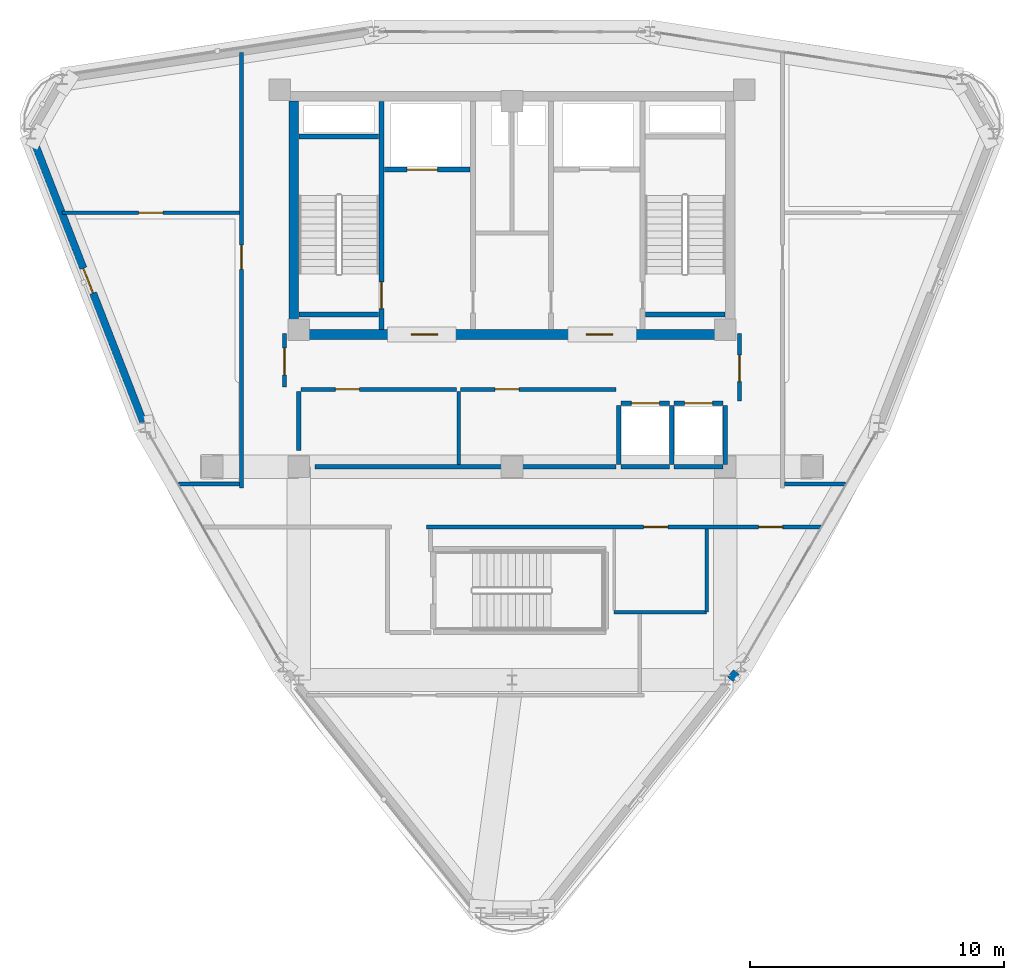
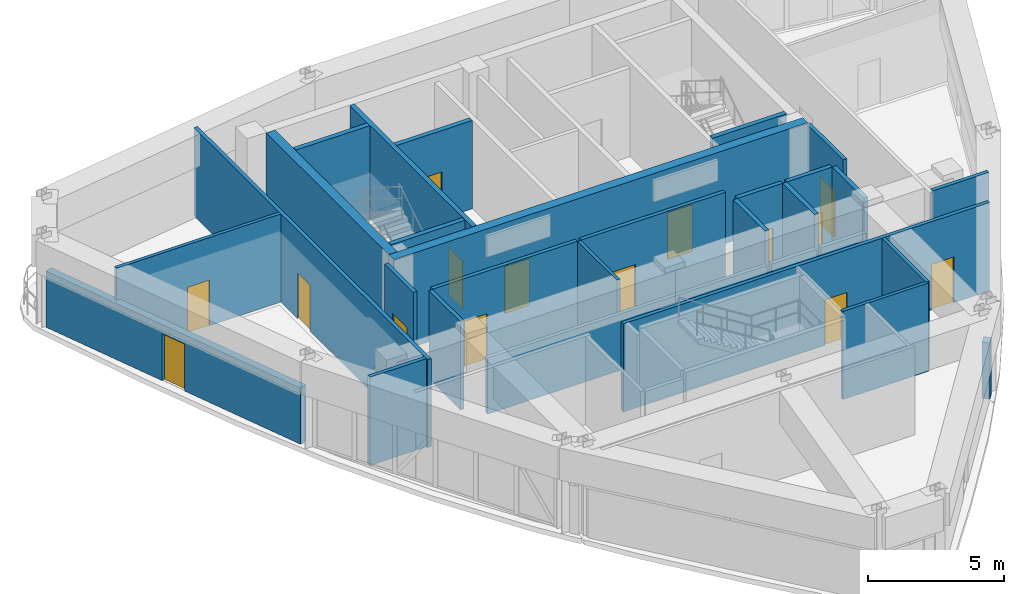
# One storey, part 13 of 16: 30 walls, 15 doors, 15 openings.
"""IFC4 building model written with IfcOpenShell, lengths in metres."""

from ifc_helpers import new_model, si_unit, derived_unit, direction, frame, frame_2d, origin, place, context, subcontext, project, spatial, rectangle, extrude, material, layer, layer_set, type_object, element, fill, save


model = new_model("IFC4")

# Units and contexts
model_context = context("Model", 3, precision=1e-05, world=origin(), true_north=direction((0.0, 1.0)))
body_context = subcontext(model_context, "Body", "Model", "MODEL_VIEW")
ifc_project = project(units=[si_unit("LENGTHUNIT", "METRE"), si_unit("AREAUNIT", "SQUARE_METRE"), si_unit("VOLUMEUNIT", "CUBIC_METRE"), si_unit("PLANEANGLEUNIT", "RADIAN"), si_unit("MASSUNIT", "GRAM", prefix="KILO"), derived_unit("THERMALTRANSMITTANCEUNIT", [(si_unit("POWERUNIT", "WATT"), 1), (si_unit("LENGTHUNIT", "METRE"), -2), (si_unit("THERMODYNAMICTEMPERATUREUNIT", "KELVIN"), -1)])], contexts=[model_context])

# Site, building, storey
site_placement = place(None, origin())
site = spatial("IfcSite", under=ifc_project, at=site_placement, CompositionType="ELEMENT")
building_placement = place(site_placement, origin())
building = spatial("IfcBuilding", under=site, at=building_placement, Name="Korsvarv Bourse and Concert Hall", CompositionType="ELEMENT")
storey_placement = place(building_placement, frame((0.0, 0.0, 283.800048828125)))
storey = spatial("IfcBuildingStorey", under=building, at=storey_placement, Name="L74", CompositionType="ELEMENT", Elevation=283.800048828125)

# Wall, openings, doors
ifc_material_1 = material(Name="Concrete C50/60", Category="concrete")
ifc_layer_1 = layer(ifc_material_1, 0.3798828125)
ifc_layer_set_1 = layer_set([ifc_layer_1], Name="Concrete C50/60")
wall_type_1 = type_object("IfcWallType", Name="WL-CORE-380", PredefinedType="SHEAR", material=ifc_layer_set_1)
wall_1_placement = place(storey_placement, frame((27.219970703125, 37.610107421875, 0.0), z_axis=(0.0, 0.0, 1.0), x_axis=(1.0, 0.0, 0.0)))
wall_1 = element("IfcWall", 1, at=wall_1_placement, inside=storey, type_object=wall_type_1, Name="L74 South Core Shear Wall", PredefinedType="SHEAR", context=body_context, shape_type="SweptSolid", body=[
    extrude(rectangle(XDim=17.56005859375, YDim=0.3798828125, at=frame_2d((8.780029296875, 0.0))), origin(), (0.0, 0.0, 1.0), 4.199951171875),
])
opening_1_placement = place(wall_1_placement, frame((4.804931640625, 0.0, 0.0)))
opening_1 = element("IfcOpeningElement", 2, at=opening_1_placement, cuts=wall_1, Name="Opening D-01", PredefinedType="OPENING", context=body_context, shape_type="SweptSolid", body=[
    extrude(rectangle(XDim=1.050048828125, YDim=2.10009765625, at=frame_2d((0.52490234375, 1.050048828125))), frame((0.0, 0.199951171875, 0.0), z_axis=(0.0, -1.0, 0.0), x_axis=(1.0, 0.0, 0.0)), (0.0, 0.0, 1.0), 0.39990234375),
])
opening_2_placement = place(wall_1_placement, frame((11.705078125, 0.0, 0.0)))
opening_2 = element("IfcOpeningElement", 3, at=opening_2_placement, cuts=wall_1, Name="Opening D-01", PredefinedType="OPENING", context=body_context, shape_type="SweptSolid", body=[
    extrude(rectangle(XDim=1.050048828125, YDim=2.10009765625, at=frame_2d((0.52490234375, 1.050048828125))), frame((0.0, 0.199951171875, 0.0), z_axis=(0.0, -1.0, 0.0), x_axis=(1.0, 0.0, 0.0)), (0.0, 0.0, 1.0), 0.39990234375),
])
ifc_material_2 = material(Name="Steel S355 fire door", Category="steel")
door_type_1 = type_object("IfcDoorType", Name="DR-FD60", OperationType="NOTDEFINED", PredefinedType="DOOR", material=ifc_material_2)
door_1_placement = place(opening_1_placement, frame((1.050048828125, 0.0, 0.0), z_axis=(0.0, 0.0, 1.0), x_axis=(-1.0, 0.0, 0.0)))
door_1 = element("IfcDoor", 4, at=door_1_placement, inside=storey, type_object=door_type_1, Name="L74 firefighting lobby fire door DR-L74-FFLW", OperationType="SINGLE_SWING_LEFT", OverallHeight=2.10009765625, OverallWidth=1.050048828125, PredefinedType="DOOR", context=body_context, shape_type="SweptSolid", body=[
    extrude(rectangle(XDim=1.050048828125, YDim=2.10009765625, at=frame_2d((0.52490234375, 1.050048828125))), frame((0.0, 0.02490234375, 0.0), z_axis=(0.0, -1.0, 0.0), x_axis=(1.0, 0.0, 0.0)), (0.0, 0.0, 1.0), 0.050048828125),
])
fill(opening_1, door_1)
door_2_placement = place(opening_2_placement, frame((1.050048828125, 0.0, 0.0), z_axis=(0.0, 0.0, 1.0), x_axis=(-1.0, 0.0, 0.0)))
door_2 = element("IfcDoor", 5, at=door_2_placement, inside=storey, type_object=door_type_1, Name="L74 firefighting lobby fire door DR-L74-FFLE", OperationType="SINGLE_SWING_RIGHT", OverallHeight=2.10009765625, OverallWidth=1.050048828125, PredefinedType="DOOR", context=body_context, shape_type="SweptSolid", body=[
    extrude(rectangle(XDim=1.050048828125, YDim=2.10009765625, at=frame_2d((0.52490234375, 1.050048828125))), frame((0.0, 0.02490234375, 0.0), z_axis=(0.0, -1.0, 0.0), x_axis=(1.0, 0.0, 0.0)), (0.0, 0.0, 1.0), 0.050048828125),
])
fill(opening_2, door_2)

# Wall
wall_2_placement = place(storey_placement, frame((27.409912109375, 37.800048828125, 0.0), z_axis=(0.0, 0.0, 1.0), x_axis=(0.0, 1.0, 0.0)))
element("IfcWall", 6, at=wall_2_placement, inside=storey, type_object=wall_type_1, Name="L74 West Core Shear Wall", PredefinedType="SHEAR", context=body_context, shape_type="SweptSolid", body=[
    extrude(rectangle(XDim=9.0, YDim=0.3798828125, at=frame_2d((4.5, 0.0))), origin(), (0.0, 0.0, 1.0), 4.199951171875),
])

# Wall, opening, door
wall_3_placement = place(storey_placement, frame((30.860107421875, 37.81005859375, 0.0), z_axis=(0.0, 0.0, 1.0), x_axis=(0.0, 1.0, 0.0)))
wall_3 = element("IfcWall", 7, at=wall_3_placement, inside=storey, type_object=wall_type_1, Name="L74 stair shaft structural wall W-L74-ST1-E", PredefinedType="SHEAR", context=body_context, shape_type="SweptSolid", body=[
    extrude(rectangle(XDim=8.97998046875, YDim=0.199951171875, at=frame_2d((4.489990234375, 0.0))), origin(), (0.0, 0.0, 1.0), 4.199951171875),
])
opening_3_placement = place(wall_3_placement, frame((0.820068359375, 0.0, 0.0)))
opening_3 = element("IfcOpeningElement", 8, at=opening_3_placement, cuts=wall_3, Name="Opening D-01", PredefinedType="OPENING", context=body_context, shape_type="SweptSolid", body=[
    extrude(rectangle(XDim=1.050048828125, YDim=2.10009765625, at=frame_2d((0.52490234375, 1.050048828125))), frame((0.0, 0.10986328125, 0.0), z_axis=(0.0, -1.0, 0.0), x_axis=(1.0, 0.0, 0.0)), (0.0, 0.0, 1.0), 0.219970703125),
])
door_3_placement = place(opening_3_placement, origin())
door_3 = element("IfcDoor", 9, at=door_3_placement, inside=storey, type_object=door_type_1, Name="L74 interior door DR-L74-ST1", OperationType="SINGLE_SWING_LEFT", OverallHeight=2.10009765625, OverallWidth=1.050048828125, PredefinedType="DOOR", context=body_context, shape_type="SweptSolid", body=[
    extrude(rectangle(XDim=1.050048828125, YDim=2.10009765625, at=frame_2d((0.52490234375, 1.050048828125))), frame((0.0, 0.02490234375, 0.0), z_axis=(0.0, -1.0, 0.0), x_axis=(1.0, 0.0, 0.0)), (0.0, 0.0, 1.0), 0.050048828125),
])
fill(opening_3, door_3)

# Walls
for number, where, z_axis, x_axis, name in (
    (10, (27.610107421875, 45.39990234375, 0.0), (0.0, 0.0, 1.0), (1.0, 0.0, 0.0), "L74 stair shaft structural wall W-L74-ST1-N"),
    (11, (27.610107421875, 38.39990234375, 0.0), (0.0, 0.0, 1.0), (1.0, 0.0, 0.0), "L74 stair shaft structural wall W-L74-ST1-S"),
    (12, (41.25, 38.39990234375, 0.0), (0.0, 0.0, 1.0), (1.0, 0.0, 0.0), "L74 stair shaft structural wall W-L74-ST2-S"),
):
    element("IfcWall", number, at=place(storey_placement, frame(where, z_axis=z_axis, x_axis=x_axis)), inside=storey, type_object=wall_type_1, Name=name, PredefinedType="SHEAR", context=body_context, shape_type="SweptSolid", body=[
        extrude(rectangle(XDim=3.139892578125, YDim=0.199951171875, at=frame_2d((1.56982421875, 0.0))), origin(), (0.0, 0.0, 1.0), 4.199951171875),
    ])

# Wall, opening, door
ifc_material_3 = material(Name="Precast concrete C45/55 with terracotta rainscreen", Category="concrete")
ifc_layer_2 = layer(ifc_material_3, 0.300048828125)
ifc_layer_set_2 = layer_set([ifc_layer_2], Name="Precast concrete C45/55 with terracotta rainscreen")
wall_type_2 = type_object("IfcWallType", Name="WL-EXT-TC1", PredefinedType="SOLIDWALL", material=ifc_layer_set_2)
wall_4_placement = place(storey_placement, frame((17.130859375, 45.3095703125, 0.0), z_axis=(0.0, 0.0, 1.0), x_axis=(0.362913406034, -0.931822869284, 0.0)))
wall_4 = element("IfcWall", 13, at=wall_4_placement, inside=storey, type_object=wall_type_2, Name="L74 terracotta exterior wall EW-L74-B06", PredefinedType="SOLIDWALL", context=body_context, shape_type="SweptSolid", body=[
    extrude(rectangle(XDim=11.978515625, YDim=0.300048828125, at=frame_2d((5.9892578125, 0.0))), origin(), (0.0, 0.0, 1.0), 2.52001953125),
])
opening_4_placement = place(wall_4_placement, frame((5.46435546875, 0.0, 0.0)))
opening_4 = element("IfcOpeningElement", 14, at=opening_4_placement, cuts=wall_4, Name="Opening ED-02", PredefinedType="OPENING", context=body_context, shape_type="SweptSolid", body=[
    extrude(rectangle(XDim=1.050048828125, YDim=2.10009765625, at=frame_2d((0.52490234375, 1.050048828125))), frame((0.0, 0.16015625, 0.0), z_axis=(0.0, -1.0, 0.0), x_axis=(1.0, 0.0, 0.0)), (0.0, 0.0, 1.0), 0.320068359375),
])
ifc_material_4 = material(Name="Thermally broken anodised aluminium and laminated safety glass", Category="aluminium")
door_type_2 = type_object("IfcDoorType", Name="DR-EXT-TERR", OperationType="NOTDEFINED", PredefinedType="DOOR", material=ifc_material_4)
door_4_placement = place(opening_4_placement, frame((1.050048828125, 0.0, 0.0), z_axis=(0.0, 0.0, 1.0), x_axis=(-1.0, 0.0, 0.0)))
door_4 = element("IfcDoor", 15, at=door_4_placement, inside=storey, type_object=door_type_2, Name="L74 Sky Garden Terrace Access Door", OperationType="SINGLE_SWING_RIGHT", OverallHeight=2.10009765625, OverallWidth=1.050048828125, PredefinedType="DOOR", context=body_context, shape_type="SweptSolid", body=[
    extrude(rectangle(XDim=1.050048828125, YDim=2.10009765625, at=frame_2d((0.52490234375, 1.050048828125))), frame((0.0, 0.02490234375, 0.0), z_axis=(0.0, -1.0, 0.0), x_axis=(1.0, 0.0, 0.0)), (0.0, 0.0, 1.0), 0.050048828125),
])
fill(opening_4, door_4)

# Wall
wall_5_placement = place(storey_placement, frame((44.60546875, 24.02587890625, 0.0), z_axis=(0.0, 0.0, 1.0), x_axis=(0.625494298598, 0.780228737244, 0.0)))
element("IfcWall", 16, at=wall_5_placement, inside=storey, type_object=wall_type_2, Name="L74 terracotta exterior wall EW-L74-B10-2", PredefinedType="SOLIDWALL", context=body_context, shape_type="SweptSolid", body=[
    extrude(rectangle(XDim=0.372314453125, YDim=0.300048828125, at=frame_2d((0.18603515625, 0.0))), origin(), (0.0, 0.0, 1.0), 2.52001953125),
])

# Wall, opening, door
ifc_material_5 = material(Name="Reinforced concrete blockwork C35/45 fire wall", Category="concrete")
ifc_layer_3 = layer(ifc_material_5, 0.199951171875)
ifc_layer_set_3 = layer_set([ifc_layer_3], Name="Reinforced concrete blockwork C35/45 fire wall")
wall_type_3 = type_object("IfcWallType", Name="WL-INT-EI120", PredefinedType="PARTITIONING", material=ifc_layer_set_3)
wall_6_placement = place(storey_placement, frame((30.969970703125, 44.10009765625, 0.0), z_axis=(0.0, 0.0, 1.0), x_axis=(1.0, 0.0, 0.0)))
wall_6 = element("IfcWall", 17, at=wall_6_placement, inside=storey, type_object=wall_type_3, Name="L74 interior partition wall W-L74-FF1-S", PredefinedType="PARTITIONING", context=body_context, shape_type="SweptSolid", body=[
    extrude(rectangle(XDim=3.380126953125, YDim=0.199951171875, at=frame_2d((1.68994140625, 0.0))), origin(), (0.0, 0.0, 1.0), 3.9599609375),
])
opening_5_placement = place(wall_6_placement, frame((0.89990234375, 0.0, 0.0)))
opening_5 = element("IfcOpeningElement", 18, at=opening_5_placement, cuts=wall_6, Name="Opening LD-1", PredefinedType="OPENING", context=body_context, shape_type="SweptSolid", body=[
    extrude(rectangle(XDim=1.199951171875, YDim=2.10009765625, at=frame_2d((0.60009765625, 1.050048828125))), frame((0.0, 0.10986328125, 0.0), z_axis=(0.0, -1.0, 0.0), x_axis=(1.0, 0.0, 0.0)), (0.0, 0.0, 1.0), 0.219970703125),
])
ifc_material_6 = material(Name="Stainless Steel S355 firefighting lift landing door", Category="steel")
door_type_3 = type_object("IfcDoorType", Name="DR-LIFT-FF", OperationType="DOUBLE_DOOR_SLIDING", PredefinedType="DOOR", material=ifc_material_6)
door_5_placement = place(opening_5_placement, origin())
door_5 = element("IfcDoor", 19, at=door_5_placement, inside=storey, type_object=door_type_3, Name="L74 lift sliding landing door LD-L74-FF1", OperationType="DOUBLE_DOOR_SLIDING", OverallHeight=2.10009765625, OverallWidth=1.199951171875, PredefinedType="DOOR", context=body_context, shape_type="SweptSolid", body=[
    extrude(rectangle(XDim=1.199951171875, YDim=2.10009765625, at=frame_2d((0.60009765625, 1.050048828125))), frame((0.0, 0.02490234375, 0.0), z_axis=(0.0, -1.0, 0.0), x_axis=(1.0, 0.0, 0.0)), (0.0, 0.0, 1.0), 0.050048828125),
])
fill(opening_5, door_5)

# Walls
ifc_material_7 = material(Name="Double-stud fire-rated acoustic partition", Category="gypsum")
ifc_layer_4 = layer(ifc_material_7, 0.159912109375)
ifc_layer_set_4 = layer_set([ifc_layer_4], Name="Double-stud fire-rated acoustic partition")
wall_type_4 = type_object("IfcWallType", Name="WL-INT-EI60", PredefinedType="PARTITIONING", material=ifc_layer_set_4)
wall_7_placement = place(storey_placement, frame((28.25, 32.39990234375, 0.0), z_axis=(0.0, 0.0, 1.0), x_axis=(1.0, 0.0, 0.0)))
element("IfcWall", 20, at=wall_7_placement, inside=storey, type_object=wall_type_4, Name="L74 interior partition wall W-L74-FRD-S", PredefinedType="PARTITIONING", context=body_context, shape_type="SweptSolid", body=[
    extrude(rectangle(XDim=11.85009765625, YDim=0.159912109375, at=frame_2d((5.925048828125, 0.0))), origin(), (0.0, 0.0, 1.0), 2.52001953125),
])
wall_8_placement = place(storey_placement, frame((27.60009765625, 33.050048828125, 0.0), z_axis=(0.0, 0.0, 1.0), x_axis=(0.0, 1.0, 0.0)))
element("IfcWall", 21, at=wall_8_placement, inside=storey, type_object=wall_type_4, Name="L74 interior partition wall W-L74-FRD-W", PredefinedType="PARTITIONING", context=body_context, shape_type="SweptSolid", body=[
    extrude(rectangle(XDim=2.31005859375, YDim=0.159912109375, at=frame_2d((1.155029296875, 0.0))), origin(), (0.0, 0.0, 1.0), 3.9599609375),
])

# Wall, opening, door
wall_9_placement = place(storey_placement, frame((27.68994140625, 35.449951171875, 0.0), z_axis=(0.0, 0.0, 1.0), x_axis=(1.0, 0.0, 0.0)))
wall_9 = element("IfcWall", 22, at=wall_9_placement, inside=storey, type_object=wall_type_4, Name="L74 interior partition wall W-L74-FRD-N1", PredefinedType="PARTITIONING", context=body_context, shape_type="SweptSolid", body=[
    extrude(rectangle(XDim=6.130126953125, YDim=0.159912109375, at=frame_2d((3.06494140625, 0.0))), origin(), (0.0, 0.0, 1.0), 3.9599609375),
])
opening_6_placement = place(wall_9_placement, frame((1.35009765625, 0.0, 0.0)))
opening_6 = element("IfcOpeningElement", 23, at=opening_6_placement, cuts=wall_9, Name="Opening D-03", PredefinedType="OPENING", context=body_context, shape_type="SweptSolid", body=[
    extrude(rectangle(XDim=0.949951171875, YDim=2.050048828125, at=frame_2d((0.47509765625, 1.02490234375))), frame((0.0, 0.08984375, 0.0), z_axis=(0.0, -1.0, 0.0), x_axis=(1.0, 0.0, 0.0)), (0.0, 0.0, 1.0), 0.179931640625),
])
ifc_material_8 = material(Name="Nordic oak acoustic office door", Category="wood")
door_type_4 = type_object("IfcDoorType", Name="DR-INT-1", OperationType="NOTDEFINED", PredefinedType="DOOR", material=ifc_material_8)
door_6_placement = place(opening_6_placement, origin())
door_6 = element("IfcDoor", 24, at=door_6_placement, inside=storey, type_object=door_type_4, Name="L74 interior door DR-L74-FRDN1", OperationType="SINGLE_SWING_LEFT", OverallHeight=2.050048828125, OverallWidth=0.949951171875, PredefinedType="DOOR", context=body_context, shape_type="SweptSolid", body=[
    extrude(rectangle(XDim=0.949951171875, YDim=2.050048828125, at=frame_2d((0.47509765625, 1.02490234375))), frame((0.0, 0.02490234375, 0.0), z_axis=(0.0, -1.0, 0.0), x_axis=(1.0, 0.0, 0.0)), (0.0, 0.0, 1.0), 0.050048828125),
])
fill(opening_6, door_6)

wall_10_placement = place(storey_placement, frame((33.97998046875, 35.449951171875, 0.0), z_axis=(0.0, 0.0, 1.0), x_axis=(1.0, 0.0, 0.0)))
wall_10 = element("IfcWall", 25, at=wall_10_placement, inside=storey, type_object=wall_type_4, Name="L74 interior partition wall W-L74-FRD-N2", PredefinedType="PARTITIONING", context=body_context, shape_type="SweptSolid", body=[
    extrude(rectangle(XDim=6.1201171875, YDim=0.159912109375, at=frame_2d((3.06005859375, 0.0))), origin(), (0.0, 0.0, 1.0), 3.9599609375),
])
opening_7_placement = place(wall_10_placement, frame((1.35009765625, 0.0, 0.0)))
opening_7 = element("IfcOpeningElement", 26, at=opening_7_placement, cuts=wall_10, Name="Opening D-03", PredefinedType="OPENING", context=body_context, shape_type="SweptSolid", body=[
    extrude(rectangle(XDim=0.949951171875, YDim=2.050048828125, at=frame_2d((0.47509765625, 1.02490234375))), frame((0.0, 0.08984375, 0.0), z_axis=(0.0, -1.0, 0.0), x_axis=(1.0, 0.0, 0.0)), (0.0, 0.0, 1.0), 0.179931640625),
])
door_7_placement = place(opening_7_placement, origin())
door_7 = element("IfcDoor", 27, at=door_7_placement, inside=storey, type_object=door_type_4, Name="L74 interior door DR-L74-FRDN2", OperationType="SINGLE_SWING_RIGHT", OverallHeight=2.050048828125, OverallWidth=0.949951171875, PredefinedType="DOOR", context=body_context, shape_type="SweptSolid", body=[
    extrude(rectangle(XDim=0.949951171875, YDim=2.050048828125, at=frame_2d((0.47509765625, 1.02490234375))), frame((0.0, 0.02490234375, 0.0), z_axis=(0.0, -1.0, 0.0), x_axis=(1.0, 0.0, 0.0)), (0.0, 0.0, 1.0), 0.050048828125),
])
fill(opening_7, door_7)

wall_11_placement = place(storey_placement, frame((27.0400390625, 35.5400390625, 0.0), z_axis=(0.0, 0.0, 1.0), x_axis=(0.0, 1.0, 0.0)))
wall_11 = element("IfcWall", 28, at=wall_11_placement, inside=storey, type_object=wall_type_4, Name="L74 interior partition wall W-L74-LOB-WL", PredefinedType="PARTITIONING", context=body_context, shape_type="SweptSolid", body=[
    extrude(rectangle(XDim=2.10986328125, YDim=0.159912109375, at=frame_2d((1.054931640625, 0.0))), origin(), (0.0, 0.0, 1.0), 3.9599609375),
])
opening_8_placement = place(wall_11_placement, frame((0.47998046875, 0.0, 0.0)))
opening_8 = element("IfcOpeningElement", 29, at=opening_8_placement, cuts=wall_11, Name="Opening D-01", PredefinedType="OPENING", context=body_context, shape_type="SweptSolid", body=[
    extrude(rectangle(XDim=1.050048828125, YDim=2.10009765625, at=frame_2d((0.52490234375, 1.050048828125))), frame((0.0, 0.08984375, 0.0), z_axis=(0.0, -1.0, 0.0), x_axis=(1.0, 0.0, 0.0)), (0.0, 0.0, 1.0), 0.179931640625),
])
door_8_placement = place(opening_8_placement, frame((1.050048828125, 0.0, 0.0), z_axis=(0.0, 0.0, 1.0), x_axis=(-1.0, 0.0, 0.0)))
door_8 = element("IfcDoor", 30, at=door_8_placement, inside=storey, type_object=door_type_1, Name="L74 interior door DR-L74-LOBW", OperationType="SINGLE_SWING_LEFT", OverallHeight=2.10009765625, OverallWidth=1.050048828125, PredefinedType="DOOR", context=body_context, shape_type="SweptSolid", body=[
    extrude(rectangle(XDim=1.050048828125, YDim=2.10009765625, at=frame_2d((0.52490234375, 1.050048828125))), frame((0.0, 0.02490234375, 0.0), z_axis=(0.0, -1.0, 0.0), x_axis=(1.0, 0.0, 0.0)), (0.0, 0.0, 1.0), 0.050048828125),
])
fill(opening_8, door_8)

wall_12_placement = place(storey_placement, frame((44.9599609375, 35.0, 0.0), z_axis=(0.0, 0.0, 1.0), x_axis=(0.0, 1.0, 0.0)))
wall_12 = element("IfcWall", 31, at=wall_12_placement, inside=storey, type_object=wall_type_4, Name="L74 interior partition wall W-L74-LOB-E", PredefinedType="PARTITIONING", context=body_context, shape_type="SweptSolid", body=[
    extrude(rectangle(XDim=2.64990234375, YDim=0.159912109375, at=frame_2d((1.324951171875, 0.0))), origin(), (0.0, 0.0, 1.0), 3.9599609375),
])
opening_9_placement = place(wall_12_placement, frame((0.75, 0.0, 0.0)))
opening_9 = element("IfcOpeningElement", 32, at=opening_9_placement, cuts=wall_12, Name="Opening D-01", PredefinedType="OPENING", context=body_context, shape_type="SweptSolid", body=[
    extrude(rectangle(XDim=1.050048828125, YDim=2.10009765625, at=frame_2d((0.52490234375, 1.050048828125))), frame((0.0, 0.08984375, 0.0), z_axis=(0.0, -1.0, 0.0), x_axis=(1.0, 0.0, 0.0)), (0.0, 0.0, 1.0), 0.179931640625),
])
door_9_placement = place(opening_9_placement, origin())
door_9 = element("IfcDoor", 33, at=door_9_placement, inside=storey, type_object=door_type_1, Name="L74 interior door DR-L74-LOBE", OperationType="SINGLE_SWING_RIGHT", OverallHeight=2.10009765625, OverallWidth=1.050048828125, PredefinedType="DOOR", context=body_context, shape_type="SweptSolid", body=[
    extrude(rectangle(XDim=1.050048828125, YDim=2.10009765625, at=frame_2d((0.52490234375, 1.050048828125))), frame((0.0, 0.02490234375, 0.0), z_axis=(0.0, -1.0, 0.0), x_axis=(1.0, 0.0, 0.0)), (0.0, 0.0, 1.0), 0.050048828125),
])
fill(opening_9, door_9)

wall_13_placement = place(storey_placement, frame((25.344970703125, 31.56005859375, 0.0), z_axis=(0.0, 0.0, 1.0), x_axis=(0.0, 1.0, 0.0)))
wall_13 = element("IfcWall", 34, at=wall_13_placement, inside=storey, type_object=wall_type_4, Name="L74 interior partition wall W-L74-LKCOR-02", PredefinedType="PARTITIONING", context=body_context, shape_type="SweptSolid", body=[
    extrude(rectangle(XDim=17.15576171875, YDim=0.159912109375, at=frame_2d((8.577880859375, 0.0))), origin(), (0.0, 0.0, 1.0), 3.9599609375),
])
opening_10_placement = place(wall_13_placement, frame((8.616455078125, 0.0, 0.0)))
opening_10 = element("IfcOpeningElement", 35, at=opening_10_placement, cuts=wall_13, Name="Opening D-02", PredefinedType="OPENING", context=body_context, shape_type="SweptSolid", body=[
    extrude(rectangle(XDim=0.949951171875, YDim=2.050048828125, at=frame_2d((0.47509765625, 1.02490234375))), frame((0.0, 0.08984375, 0.0), z_axis=(0.0, -1.0, 0.0), x_axis=(1.0, 0.0, 0.0)), (0.0, 0.0, 1.0), 0.179931640625),
])
ifc_material_9 = material(Name="Timber and steel acoustic fire door", Category="wood")
door_type_5 = type_object("IfcDoorType", Name="DR-FD30", OperationType="NOTDEFINED", PredefinedType="DOOR", material=ifc_material_9)
door_10_placement = place(opening_10_placement, origin())
door_10 = element("IfcDoor", 36, at=door_10_placement, inside=storey, type_object=door_type_5, Name="L74 interior door DR-L74-LKCOR-LKW15", OperationType="SINGLE_SWING_LEFT", OverallHeight=2.050048828125, OverallWidth=0.949951171875, PredefinedType="DOOR", context=body_context, shape_type="SweptSolid", body=[
    extrude(rectangle(XDim=0.949951171875, YDim=2.050048828125, at=frame_2d((0.47509765625, 1.02490234375))), frame((0.0, 0.02490234375, 0.0), z_axis=(0.0, -1.0, 0.0), x_axis=(1.0, 0.0, 0.0)), (0.0, 0.0, 1.0), 0.050048828125),
])
fill(opening_10, door_10)

# Wall, openings, doors
wall_14_placement = place(storey_placement, frame((32.639892578125, 30.02490234375, 0.0), z_axis=(0.0, 0.0, 1.0), x_axis=(1.0, 0.0, 0.0)))
wall_14 = element("IfcWall", 37, at=wall_14_placement, inside=storey, type_object=wall_type_4, Name="L74 interior partition wall W-L74-LKCOR-03", PredefinedType="PARTITIONING", context=body_context, shape_type="SweptSolid", body=[
    extrude(rectangle(XDim=15.53759765625, YDim=0.159912109375, at=frame_2d((7.768798828125, 0.0))), origin(), (0.0, 0.0, 1.0), 3.9599609375),
])
opening_11_placement = place(wall_14_placement, frame((8.5458984375, 0.0, 0.0)))
opening_11 = element("IfcOpeningElement", 38, at=opening_11_placement, cuts=wall_14, Name="Opening D-02", PredefinedType="OPENING", context=body_context, shape_type="SweptSolid", body=[
    extrude(rectangle(XDim=0.949951171875, YDim=2.050048828125, at=frame_2d((0.47509765625, 1.02490234375))), frame((0.0, 0.08984375, 0.0), z_axis=(0.0, -1.0, 0.0), x_axis=(1.0, 0.0, 0.0)), (0.0, 0.0, 1.0), 0.179931640625),
])
opening_12_placement = place(wall_14_placement, frame((13.072021484375, 0.0, 0.0)))
opening_12 = element("IfcOpeningElement", 39, at=opening_12_placement, cuts=wall_14, Name="Opening D-02", PredefinedType="OPENING", context=body_context, shape_type="SweptSolid", body=[
    extrude(rectangle(XDim=0.949951171875, YDim=2.050048828125, at=frame_2d((0.47509765625, 1.02490234375))), frame((0.0, 0.08984375, 0.0), z_axis=(0.0, -1.0, 0.0), x_axis=(1.0, 0.0, 0.0)), (0.0, 0.0, 1.0), 0.179931640625),
])
door_11_placement = place(opening_11_placement, origin())
door_11 = element("IfcDoor", 40, at=door_11_placement, inside=storey, type_object=door_type_5, Name="L74 interior door DR-L74-LKCOR-RWC", OperationType="SINGLE_SWING_RIGHT", OverallHeight=2.050048828125, OverallWidth=0.949951171875, PredefinedType="DOOR", context=body_context, shape_type="SweptSolid", body=[
    extrude(rectangle(XDim=0.949951171875, YDim=2.050048828125, at=frame_2d((0.47509765625, 1.02490234375))), frame((0.0, 0.02490234375, 0.0), z_axis=(0.0, -1.0, 0.0), x_axis=(1.0, 0.0, 0.0)), (0.0, 0.0, 1.0), 0.050048828125),
])
fill(opening_11, door_11)
door_12_placement = place(opening_12_placement, origin())
door_12 = element("IfcDoor", 41, at=door_12_placement, inside=storey, type_object=door_type_5, Name="L74 interior door DR-L74-LKCOR-LKS13", OperationType="SINGLE_SWING_LEFT", OverallHeight=2.050048828125, OverallWidth=0.949951171875, PredefinedType="DOOR", context=body_context, shape_type="SweptSolid", body=[
    extrude(rectangle(XDim=0.949951171875, YDim=2.050048828125, at=frame_2d((0.47509765625, 1.02490234375))), frame((0.0, 0.02490234375, 0.0), z_axis=(0.0, -1.0, 0.0), x_axis=(1.0, 0.0, 0.0)), (0.0, 0.0, 1.0), 0.050048828125),
])
fill(opening_12, door_12)

# Walls
for number, where, z_axis, x_axis, name in (
    (42, (22.864013671875, 31.715087890625, 0.0), (0.0, 0.0, 1.0), (1.0, 0.0, 0.0), "L74 interior partition wall W-L74-LKCOR-06"),
    (43, (46.737060546875, 31.715087890625, 0.0), (0.0, 0.0, 1.0), (1.0, 0.0, 0.0), "L74 interior partition wall W-L74-LKCOR-07"),
):
    element("IfcWall", number, at=place(storey_placement, frame(where, z_axis=z_axis, x_axis=x_axis)), inside=storey, type_object=wall_type_4, Name=name, PredefinedType="PARTITIONING", context=body_context, shape_type="SweptSolid", body=[
        extrude(rectangle(XDim=2.39892578125, YDim=0.159912109375, at=frame_2d((1.199462890625, 0.0))), origin(), (0.0, 0.0, 1.0), 3.9599609375),
    ])

# Wall, opening, door
ifc_material_10 = material(Name="Gypsum-clad autoclaved concrete shaft wall C30/37", Category="concrete")
ifc_layer_5 = layer(ifc_material_10, 0.179931640625)
ifc_layer_set_5 = layer_set([ifc_layer_5], Name="Gypsum-clad autoclaved concrete shaft wall C30/37")
wall_type_5 = type_object("IfcWallType", Name="WL-INT-EI90", PredefinedType="PARTITIONING", material=ifc_layer_set_5)
wall_15_placement = place(storey_placement, frame((40.2900390625, 34.89990234375, 0.0), z_axis=(0.0, 0.0, 1.0), x_axis=(1.0, 0.0, 0.0)))
wall_15 = element("IfcWall", 44, at=wall_15_placement, inside=storey, type_object=wall_type_5, Name="L74 interior partition wall W-L74-SHFN-PO1", PredefinedType="PARTITIONING", context=body_context, shape_type="SweptSolid", body=[
    extrude(rectangle(XDim=1.919921875, YDim=0.179931640625, at=frame_2d((0.9599609375, 0.0))), origin(), (0.0, 0.0, 1.0), 3.9599609375),
])
opening_13_placement = place(wall_15_placement, frame((0.409912109375, 0.0, 0.0)))
opening_13 = element("IfcOpeningElement", 45, at=opening_13_placement, cuts=wall_15, Name="Opening LD-2", PredefinedType="OPENING", context=body_context, shape_type="SweptSolid", body=[
    extrude(rectangle(XDim=1.10009765625, YDim=2.10009765625, at=frame_2d((0.550048828125, 1.050048828125))), frame((0.0, 0.10009765625, 0.0), z_axis=(0.0, -1.0, 0.0), x_axis=(1.0, 0.0, 0.0)), (0.0, 0.0, 1.0), 0.199951171875),
])
ifc_material_11 = material(Name="Brushed stainless Steel S355 lift landing door", Category="steel")
door_type_6 = type_object("IfcDoorType", Name="DR-LIFT-P", OperationType="DOUBLE_DOOR_SLIDING", PredefinedType="DOOR", material=ifc_material_11)
door_13_placement = place(opening_13_placement, origin())
door_13 = element("IfcDoor", 46, at=door_13_placement, inside=storey, type_object=door_type_6, Name="L74 lift sliding landing door LD-L74-PO1", OperationType="DOUBLE_DOOR_SLIDING", OverallHeight=2.10009765625, OverallWidth=1.10009765625, PredefinedType="DOOR", context=body_context, shape_type="SweptSolid", body=[
    extrude(rectangle(XDim=1.10009765625, YDim=2.10009765625, at=frame_2d((0.550048828125, 1.050048828125))), frame((0.0, 0.02490234375, 0.0), z_axis=(0.0, -1.0, 0.0), x_axis=(1.0, 0.0, 0.0)), (0.0, 0.0, 1.0), 0.050048828125),
])
fill(opening_13, door_13)

# Walls
wall_16_placement = place(storey_placement, frame((40.2900390625, 32.39990234375, 0.0), z_axis=(0.0, 0.0, 1.0), x_axis=(1.0, 0.0, 0.0)))
element("IfcWall", 47, at=wall_16_placement, inside=storey, type_object=wall_type_5, Name="L74 interior partition wall W-L74-SHFS-PO1", PredefinedType="PARTITIONING", context=body_context, shape_type="SweptSolid", body=[
    extrude(rectangle(XDim=1.919921875, YDim=0.179931640625, at=frame_2d((0.9599609375, 0.0))), origin(), (0.0, 0.0, 1.0), 2.52001953125),
])
wall_17_placement = place(storey_placement, frame((40.199951171875, 32.489990234375, 0.0), z_axis=(0.0, 0.0, 1.0), x_axis=(0.0, 1.0, 0.0)))
element("IfcWall", 48, at=wall_17_placement, inside=storey, type_object=wall_type_5, Name="L74 interior partition wall W-L74-SHFW-PO1", PredefinedType="PARTITIONING", context=body_context, shape_type="SweptSolid", body=[
    extrude(rectangle(XDim=2.320068359375, YDim=0.179931640625, at=frame_2d((1.16015625, 0.0))), origin(), (0.0, 0.0, 1.0), 3.9599609375),
])

# Wall, opening, door
wall_18_placement = place(storey_placement, frame((42.389892578125, 34.89990234375, 0.0), z_axis=(0.0, 0.0, 1.0), x_axis=(1.0, 0.0, 0.0)))
wall_18 = element("IfcWall", 49, at=wall_18_placement, inside=storey, type_object=wall_type_5, Name="L74 interior partition wall W-L74-SHFN-PO2", PredefinedType="PARTITIONING", context=body_context, shape_type="SweptSolid", body=[
    extrude(rectangle(XDim=1.920166015625, YDim=0.179931640625, at=frame_2d((0.9599609375, 0.0))), origin(), (0.0, 0.0, 1.0), 3.9599609375),
])
opening_14_placement = place(wall_18_placement, frame((0.409912109375, 0.0, 0.0)))
opening_14 = element("IfcOpeningElement", 50, at=opening_14_placement, cuts=wall_18, Name="Opening LD-2", PredefinedType="OPENING", context=body_context, shape_type="SweptSolid", body=[
    extrude(rectangle(XDim=1.10009765625, YDim=2.10009765625, at=frame_2d((0.550048828125, 1.050048828125))), frame((0.0, 0.10009765625, 0.0), z_axis=(0.0, -1.0, 0.0), x_axis=(1.0, 0.0, 0.0)), (0.0, 0.0, 1.0), 0.199951171875),
])
door_14_placement = place(opening_14_placement, origin())
door_14 = element("IfcDoor", 51, at=door_14_placement, inside=storey, type_object=door_type_6, Name="L74 lift sliding landing door LD-L74-PO2", OperationType="DOUBLE_DOOR_SLIDING", OverallHeight=2.10009765625, OverallWidth=1.10009765625, PredefinedType="DOOR", context=body_context, shape_type="SweptSolid", body=[
    extrude(rectangle(XDim=1.10009765625, YDim=2.10009765625, at=frame_2d((0.550048828125, 1.050048828125))), frame((0.0, 0.02490234375, 0.0), z_axis=(0.0, -1.0, 0.0), x_axis=(1.0, 0.0, 0.0)), (0.0, 0.0, 1.0), 0.050048828125),
])
fill(opening_14, door_14)

# Walls
wall_19_placement = place(storey_placement, frame((42.389892578125, 32.39990234375, 0.0), z_axis=(0.0, 0.0, 1.0), x_axis=(1.0, 0.0, 0.0)))
element("IfcWall", 52, at=wall_19_placement, inside=storey, type_object=wall_type_5, Name="L74 interior partition wall W-L74-SHFS-PO2", PredefinedType="PARTITIONING", context=body_context, shape_type="SweptSolid", body=[
    extrude(rectangle(XDim=1.920166015625, YDim=0.179931640625, at=frame_2d((0.9599609375, 0.0))), origin(), (0.0, 0.0, 1.0), 2.52001953125),
])
for number, where, z_axis, x_axis, name in (
    (53, (42.300048828125, 32.489990234375, 0.0), (0.0, 0.0, 1.0), (0.0, 1.0, 0.0), "L74 interior partition wall W-L74-SHFW-PO2"),
    (54, (44.39990234375, 32.489990234375, 0.0), (0.0, 0.0, 1.0), (0.0, 1.0, 0.0), "L74 interior partition wall W-L74-SHFE-END"),
):
    element("IfcWall", number, at=place(storey_placement, frame(where, z_axis=z_axis, x_axis=x_axis)), inside=storey, type_object=wall_type_5, Name=name, PredefinedType="PARTITIONING", context=body_context, shape_type="SweptSolid", body=[
        extrude(rectangle(XDim=2.320068359375, YDim=0.179931640625, at=frame_2d((1.16015625, 0.0))), origin(), (0.0, 0.0, 1.0), 3.9599609375),
    ])
ifc_material_12 = material(Name="Insulated steel-stud office acoustic partition", Category="gypsum")
ifc_layer_6 = layer(ifc_material_12, 0.139892578125)
ifc_layer_set_6 = layer_set([ifc_layer_6], Name="Insulated steel-stud office acoustic partition")
wall_type_6 = type_object("IfcWallType", Name="WL-INT-P1", PredefinedType="PARTITIONING", material=ifc_layer_set_6)
wall_20_placement = place(storey_placement, frame((33.89990234375, 32.489990234375, 0.0), z_axis=(0.0, 0.0, 1.0), x_axis=(0.0, 1.0, 0.0)))
element("IfcWall", 55, at=wall_20_placement, inside=storey, type_object=wall_type_6, Name="L74 interior partition wall W-L74-FRD-V", PredefinedType="PARTITIONING", context=body_context, shape_type="SweptSolid", body=[
    extrude(rectangle(XDim=2.8701171875, YDim=0.139892578125, at=frame_2d((1.43505859375, 0.0))), origin(), (0.0, 0.0, 1.0), 3.9599609375),
])

# Wall, opening, door
wall_21_placement = place(storey_placement, frame((18.281982421875, 42.405029296875, 0.0), z_axis=(0.0, 0.0, 1.0), x_axis=(1.0, 0.0, 0.0)))
wall_21 = element("IfcWall", 56, at=wall_21_placement, inside=storey, type_object=wall_type_6, Name="L74 interior partition wall W-L74-LKCOR-12", PredefinedType="PARTITIONING", context=body_context, shape_type="SweptSolid", body=[
    extrude(rectangle(XDim=6.98095703125, YDim=0.139892578125, at=frame_2d((3.490478515625, 0.0))), origin(), (0.0, 0.0, 1.0), 3.9599609375),
])
opening_15_placement = place(wall_21_placement, frame((3.015380859375, 0.0, 0.0)))
opening_15 = element("IfcOpeningElement", 57, at=opening_15_placement, cuts=wall_21, Name="Opening D-03", PredefinedType="OPENING", context=body_context, shape_type="SweptSolid", body=[
    extrude(rectangle(XDim=0.949951171875, YDim=2.050048828125, at=frame_2d((0.47509765625, 1.02490234375))), frame((0.0, 0.080078125, 0.0), z_axis=(0.0, -1.0, 0.0), x_axis=(1.0, 0.0, 0.0)), (0.0, 0.0, 1.0), 0.159912109375),
])
door_15_placement = place(opening_15_placement, origin())
door_15 = element("IfcDoor", 58, at=door_15_placement, inside=storey, type_object=door_type_4, Name="L74 interior door DR-L74-LKCOR-NWM26", OperationType="SINGLE_SWING_RIGHT", OverallHeight=2.050048828125, OverallWidth=0.949951171875, PredefinedType="DOOR", context=body_context, shape_type="SweptSolid", body=[
    extrude(rectangle(XDim=0.949951171875, YDim=2.050048828125, at=frame_2d((0.47509765625, 1.02490234375))), frame((0.0, 0.02490234375, 0.0), z_axis=(0.0, -1.0, 0.0), x_axis=(1.0, 0.0, 0.0)), (0.0, 0.0, 1.0), 0.050048828125),
])
fill(opening_15, door_15)

# Walls
wall_22_placement = place(storey_placement, frame((40.02001953125, 26.675048828125, 0.0), z_axis=(0.0, 0.0, 1.0), x_axis=(1.0, 0.0, 0.0)))
element("IfcWall", 59, at=wall_22_placement, inside=storey, type_object=wall_type_6, Name="L74 interior partition wall W-L74-LKCOR-13", PredefinedType="PARTITIONING", context=body_context, shape_type="SweptSolid", body=[
    extrude(rectangle(XDim=3.639892578125, YDim=0.139892578125, at=frame_2d((1.81982421875, 0.0))), origin(), (0.0, 0.0, 1.0), 3.9599609375),
])
wall_23_placement = place(storey_placement, frame((43.675048828125, 26.68994140625, 0.0), z_axis=(0.0, 0.0, 1.0), x_axis=(0.0, 1.0, 0.0)))
element("IfcWall", 60, at=wall_23_placement, inside=storey, type_object=wall_type_6, Name="L74 interior partition wall W-L74-LKCOR-15", PredefinedType="PARTITIONING", context=body_context, shape_type="SweptSolid", body=[
    extrude(rectangle(XDim=3.253173828125, YDim=0.139892578125, at=frame_2d((1.62646484375, 0.0))), origin(), (0.0, 0.0, 1.0), 3.9599609375),
])

save(model, "model.ifc")
